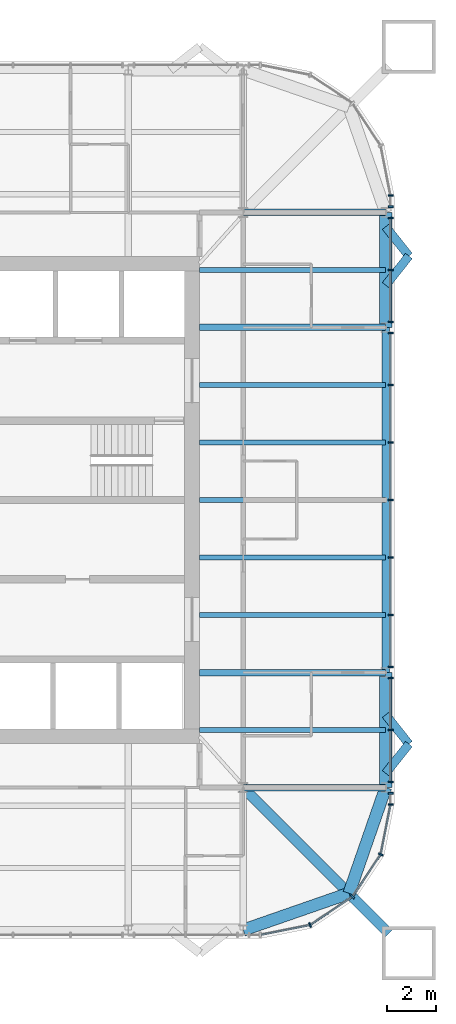
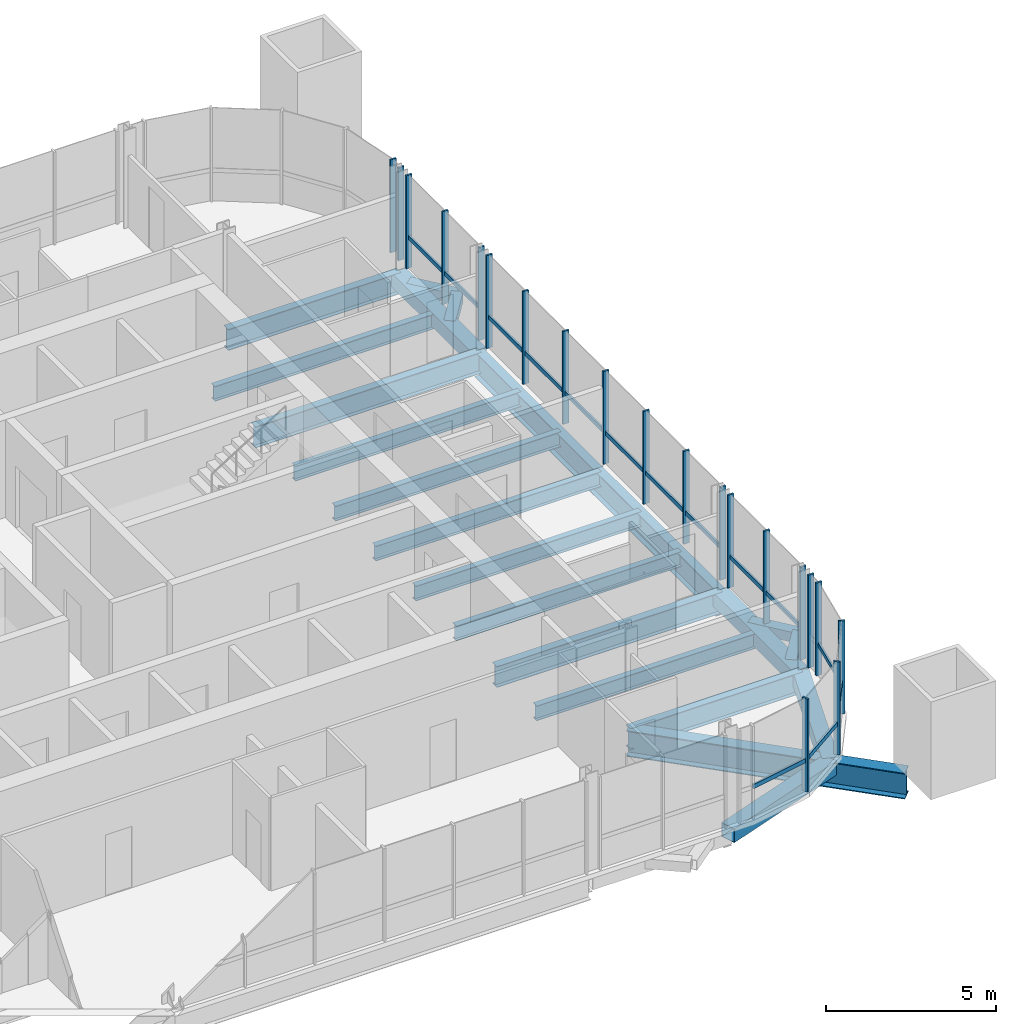
# One storey, part 5 of 17: 34 members, 21 beams, 6 elements without a shape of their own.
"""IFC4 building model written with IfcOpenShell, lengths in metres."""

from ifc_helpers import new_model, si_unit, direction, frame, origin, origin_2d, place, context, subcontext, project, spatial, rectangle, hollow_rectangle, i_section, extrude, material, material_profile, profile_set, type_object, element, aggregate, save


model = new_model("IFC4")

# Units and contexts
model_context = context("Model", 3, precision=1e-05, world=origin(), true_north=direction((0.0, 1.0)))
body_context = subcontext(model_context, "Body", "Model", "MODEL_VIEW")
ifc_project = project(units=[si_unit("LENGTHUNIT", "METRE"), si_unit("AREAUNIT", "SQUARE_METRE"), si_unit("VOLUMEUNIT", "CUBIC_METRE"), si_unit("PLANEANGLEUNIT", "RADIAN"), si_unit("MASSUNIT", "GRAM", prefix="KILO")], contexts=[model_context])

# Site, building, storey
site_placement = place(None, origin())
site = spatial("IfcSite", under=ifc_project, at=site_placement, CompositionType="ELEMENT")
building_placement = place(site_placement, origin())
building = spatial("IfcBuilding", under=site, at=building_placement, Name="Turquesa Mirador Hotel Tower", CompositionType="ELEMENT")
storey_placement = place(building_placement, frame((0.0, 0.0, 237.199951171875)))
storey = spatial("IfcBuildingStorey", under=building, at=storey_placement, Name="L64", CompositionType="ELEMENT", Elevation=237.199951171875)

# Beams
ifc_material_1 = material(Name="Steel ASTM A572 Grade 50", Category="steel")
ifc_material_profile_1 = material_profile(ifc_material_1, hollow_rectangle(XDim=0.5, YDim=0.5, WallThickness=0.01611328125, at=origin_2d()), Name="BOX500X500X16")
ifc_profile_set_1 = profile_set([ifc_material_profile_1], Name="Steel ASTM A572 Grade 50")
beam_type_1 = type_object("IfcBeamType", Name="BEAM BOX500X500X16", PredefinedType="BEAM", material=ifc_profile_set_1)
for number, where, z_axis, x_axis, name in (
    (1, (72.64990234375, 33.199951171875, -0.419921875), (0.0, 1.0, 0.0), (-1.0, 0.0, 0.0), "EB-L64-E-L"),
    (2, (72.64990234375, 52.080078125, -0.419921875), (0.0, 1.0, 0.0), (-1.0, 0.0, 0.0), "EB-L64-E-R"),
):
    element("IfcBeam", number, at=place(storey_placement, frame(where, z_axis=z_axis, x_axis=x_axis)), inside=storey, type_object=beam_type_1, Name=name, PredefinedType="BEAM", context=body_context, shape_type="SweptSolid", body=[
        extrude(hollow_rectangle(XDim=0.5, YDim=0.5, WallThickness=0.01611328125, at=origin_2d()), origin(), (0.0, 0.0, 1.0), 4.719970703125),
    ])
for number, where, z_axis, x_axis, name in (
    (3, (72.64990234375, 33.199951171875, -0.419921875), (-0.328170356092, -0.944618556552, 0.0), (0.944618556552, -0.328170356092, 0.0), "KE-L64-4-0"),
    (4, (71.1416015625, 28.8583984375, -0.419921875), (-0.944618556552, -0.328170356092, 0.0), (0.328170356092, -0.944618556552, 0.0), "KE-L64-4-1"),
):
    element("IfcBeam", number, at=place(storey_placement, frame(where, z_axis=z_axis, x_axis=x_axis)), inside=storey, type_object=beam_type_1, Name=name, PredefinedType="BEAM", context=body_context, shape_type="SweptSolid", body=[
        extrude(hollow_rectangle(XDim=0.5, YDim=0.5, WallThickness=0.01611328125, at=origin_2d()), origin(), (0.0, 0.0, 1.0), 4.59619140625),
    ])
ifc_material_2 = material(Name="Steel ASTM A992 Grade 50", Category="steel")
ifc_material_profile_2 = material_profile(ifc_material_2, i_section(OverallWidth=0.209228515625, OverallDepth=0.533447265625, WebThickness=0.01025390625, FlangeThickness=0.015625, at=origin_2d()), Name="W21X62")
ifc_profile_set_2 = profile_set([ifc_material_profile_2], Name="Steel ASTM A992 Grade 50")
beam_type_2 = type_object("IfcBeamType", Name="BEAM W21X62", PredefinedType="BEAM", material=ifc_profile_set_2)
for number, where, z_axis, x_axis, name in (
    (5, (72.64990234375, 35.56005859375, -0.436767578125), (-1.0, 0.0, 0.0), (0.0, -1.0, 0.0), "BM-L64-E--9.44"),
    (6, (72.64990234375, 40.280029296875, -0.436767578125), (-1.0, 0.0, 0.0), (0.0, -1.0, 0.0), "BM-L64-E--4.72"),
    (7, (72.64990234375, 42.639892578125, -0.436767578125), (-1.0, 0.0, 0.0), (0.0, -1.0, 0.0), "BM-L64-E--2.36"),
    (8, (72.64990234375, 45.0, -0.436767578125), (-1.0, 0.0, 0.0), (0.0, -1.0, 0.0), "BM-L64-E-+0.00"),
    (9, (72.64990234375, 47.360107421875, -0.436767578125), (-1.0, 0.0, 0.0), (0.0, -1.0, 0.0), "BM-L64-E-+2.36"),
    (10, (72.64990234375, 49.719970703125, -0.436767578125), (-1.0, 0.0, 0.0), (0.0, -1.0, 0.0), "BM-L64-E-+4.72"),
    (11, (72.64990234375, 54.43994140625, -0.436767578125), (-1.0, 0.0, 0.0), (0.0, -1.0, 0.0), "BM-L64-E-+9.44"),
):
    element("IfcBeam", number, at=place(storey_placement, frame(where, z_axis=z_axis, x_axis=x_axis)), inside=storey, type_object=beam_type_2, Name=name, PredefinedType="BEAM", context=body_context, shape_type="SweptSolid", body=[
        extrude(i_section(OverallWidth=0.209228515625, OverallDepth=0.533447265625, WebThickness=0.01025390625, FlangeThickness=0.015625, at=origin_2d()), origin(), (0.0, 0.0, 1.0), 7.64990234375),
    ])
ifc_material_3 = material(Name="Steel ASTM A992 Grade 50", Category="steel")
ifc_material_profile_3 = material_profile(ifc_material_3, i_section(OverallWidth=0.2666015625, OverallDepth=0.7568359375, WebThickness=0.013916015625, FlangeThickness=0.019287109375, at=origin_2d()), Name="W30X108")
ifc_profile_set_3 = profile_set([ifc_material_profile_3], Name="Steel ASTM A992 Grade 50")
beam_type_3 = type_object("IfcBeamType", Name="BEAM W30X108", PredefinedType="BEAM", material=ifc_profile_set_3)
for number, where, z_axis, x_axis, name in (
    (12, (72.64990234375, 37.919921875, -0.54833984375), (-1.0, 0.0, 0.0), (0.0, -1.0, 0.0), "GD-L64-E--7.08"),
    (13, (72.64990234375, 52.080078125, -0.54833984375), (-1.0, 0.0, 0.0), (0.0, -1.0, 0.0), "GD-L64-E-+7.08"),
):
    element("IfcBeam", number, at=place(storey_placement, frame(where, z_axis=z_axis, x_axis=x_axis)), inside=storey, type_object=beam_type_3, Name=name, PredefinedType="BEAM", context=body_context, shape_type="SweptSolid", body=[
        extrude(i_section(OverallWidth=0.2666015625, OverallDepth=0.7568359375, WebThickness=0.013916015625, FlangeThickness=0.019287109375, at=origin_2d()), origin(), (0.0, 0.0, 1.0), 7.64990234375),
    ])
for number, where, z_axis, x_axis, name in (
    (14, (72.64990234375, 33.199951171875, -0.54833984375), (-1.0, 0.0, 0.0), (0.0, -1.0, 0.0), "GK-L64-E--11.80"),
    (15, (72.64990234375, 56.800048828125, -0.54833984375), (-1.0, 0.0, 0.0), (0.0, -1.0, 0.0), "GK-L64-E-+11.80"),
):
    element("IfcBeam", number, at=place(storey_placement, frame(where, z_axis=z_axis, x_axis=x_axis)), inside=storey, type_object=beam_type_3, Name=name, PredefinedType="BEAM", context=body_context, shape_type="SweptSolid", body=[
        extrude(i_section(OverallWidth=0.2666015625, OverallDepth=0.7568359375, WebThickness=0.013916015625, FlangeThickness=0.019287109375, at=origin_2d()), origin(), (0.0, 0.0, 1.0), 5.849853515625),
    ])
ifc_material_4 = material(Name="Steel ASTM A992 Grade 50", Category="steel")
ifc_material_profile_4 = material_profile(ifc_material_4, i_section(OverallWidth=0.3046875, OverallDepth=0.911865234375, WebThickness=0.015869140625, FlangeThickness=0.02392578125, at=origin_2d()), Name="W36X150")
ifc_profile_set_4 = profile_set([ifc_material_profile_4], Name="Steel ASTM A992 Grade 50")
beam_type_4 = type_object("IfcBeamType", Name="BEAM W36X150", PredefinedType="BEAM", material=ifc_profile_set_4)
beam_1_placement = place(storey_placement, frame((72.64990234375, 37.919921875, -0.6259765625), z_axis=(0.0, 1.0, 0.0), x_axis=(-1.0, 0.0, 0.0)))
element("IfcBeam", 16, at=beam_1_placement, inside=storey, type_object=beam_type_4, Name="EB-L64-E-C", PredefinedType="BEAM", context=body_context, shape_type="SweptSolid", body=[
    extrude(i_section(OverallWidth=0.3046875, OverallDepth=0.911865234375, WebThickness=0.015869140625, FlangeThickness=0.02392578125, at=origin_2d()), origin(), (0.0, 0.0, 1.0), 14.16015625),
])
ifc_material_5 = material(Name="Steel ASTM A992 Grade 50", Category="steel")
ifc_material_profile_5 = material_profile(ifc_material_5, i_section(OverallWidth=0.419189453125, OverallDepth=0.927001953125, WebThickness=0.019287109375, FlangeThickness=0.031982421875, at=origin_2d()), Name="W36X231")
ifc_profile_set_5 = profile_set([ifc_material_profile_5], Name="Steel ASTM A992 Grade 50")
beam_type_5 = type_object("IfcBeamType", Name="BEAM W36X231", PredefinedType="BEAM", material=ifc_profile_set_5)
beam_2_placement = place(storey_placement, frame((66.800048828125, 33.199951171875, -0.633544921875), z_axis=(0.707106781187, -0.707106781187, 0.0), x_axis=(0.707106781187, 0.707106781187, 0.0)))
element("IfcBeam", 17, at=beam_2_placement, inside=storey, type_object=beam_type_5, Name="KD-L64-4", PredefinedType="BEAM", context=body_context, shape_type="SweptSolid", body=[
    extrude(i_section(OverallWidth=0.419189453125, OverallDepth=0.927001953125, WebThickness=0.019287109375, FlangeThickness=0.031982421875, at=origin_2d()), origin(), (0.0, 0.0, 1.0), 8.46240234375),
])
ifc_material_6 = material(Name="Steel ASTM A500 Grade C", Category="steel")
ifc_material_profile_6 = material_profile(ifc_material_6, hollow_rectangle(XDim=0.355712890625, YDim=0.355712890625, WallThickness=0.0146484375, at=origin_2d()), Name="HSS14X14X5/8")
ifc_profile_set_6 = profile_set([ifc_material_profile_6], Name="Steel ASTM A500 Grade C")
beam_type_6 = type_object("IfcBeamType", Name="BRACE STRUT HSS14X14X5/8", PredefinedType="BEAM", material=ifc_profile_set_6)
for number, where, z_axis, x_axis, name in (
    (18, (73.60009765625, 34.984619140625, -0.34765625), (-0.620796907089, -0.783971428146, 0.0), (0.783971428146, -0.620796907089, 0.0), "Brace strut"),
    (19, (73.60009765625, 34.984619140625, -0.34765625), (-0.620796907089, 0.783971428146, 0.0), (-0.783971428146, -0.620796907089, 0.0), "Brace strut"),
    (20, (73.60009765625, 55.015380859375, -0.34765625), (-0.620796907089, -0.783971428146, 0.0), (0.783971428146, -0.620796907089, 0.0), "Brace strut"),
    (21, (73.60009765625, 55.015380859375, -0.34765625), (-0.620796907089, 0.783971428146, 0.0), (-0.783971428146, -0.620796907089, 0.0), "Brace strut"),
):
    element("IfcBeam", number, at=place(storey_placement, frame(where, z_axis=z_axis, x_axis=x_axis)), inside=storey, type_object=beam_type_6, Name=name, PredefinedType="BEAM", context=body_context, shape_type="SweptSolid", body=[
        extrude(hollow_rectangle(XDim=0.355712890625, YDim=0.355712890625, WallThickness=0.0146484375, at=origin_2d()), origin(), (0.0, 0.0, 1.0), 1.530517578125),
    ])

# Curtain wall, members
ifc_material_7 = material(Name="Aluminium extrusion", Category="aluminium")
curtain_wall_type = type_object("IfcCurtainWallType", Name="CW-4 SUITE FRITTED CURTAIN WALL", PredefinedType="USERDEFINED", material=ifc_material_7)
curtain_wall_1_placement = place(storey_placement, origin())
curtain_wall_1 = element("IfcCurtainWall", 22, at=curtain_wall_1_placement, inside=storey, type_object=curtain_wall_type, Name="CW-4 SUITE FRITTED CURTAIN WALL L64", ObjectType="CURTAIN WALL", PredefinedType="USERDEFINED")
ifc_material_8 = material(Name="Aluminium extrusion", Category="aluminium")
ifc_material_profile_7 = material_profile(ifc_material_8, rectangle(XDim=0.06494140625, YDim=0.199951171875, at=origin_2d()), Name="MULLION 65X200")
ifc_profile_set_7 = profile_set([ifc_material_profile_7], Name="Aluminium extrusion")
member_type_1 = type_object("IfcMemberType", Name="CW MULLION 65X200", PredefinedType="MULLION", material=ifc_profile_set_7)
member_1_placement = place(storey_placement, frame((69.54736328125, 27.55712890625, 0.0), z_axis=(0.0, 0.0, 1.0), x_axis=(0.923879532511, 0.382683432365, 0.0)))
member_1 = element("IfcMember", 23, at=member_1_placement, type_object=member_type_1, Name="Mullion", PredefinedType="MULLION", context=body_context, shape_type="SweptSolid", body=[
    extrude(rectangle(XDim=0.06494140625, YDim=0.199951171875, at=origin_2d()), origin(), (0.0, 0.0, 1.0), 3.330078125),
])
member_2_placement = place(storey_placement, frame((71.282958984375, 28.717041015625, 0.0), z_axis=(0.0, 0.0, 1.0), x_axis=(0.707106781187, 0.707106781187, 0.0)))
member_2 = element("IfcMember", 24, at=member_2_placement, type_object=member_type_1, Name="Mullion", PredefinedType="MULLION", context=body_context, shape_type="SweptSolid", body=[
    extrude(rectangle(XDim=0.06494140625, YDim=0.199951171875, at=origin_2d()), origin(), (0.0, 0.0, 1.0), 3.330078125),
])
member_3_placement = place(storey_placement, frame((72.44287109375, 30.45263671875, 0.0), z_axis=(0.0, 0.0, 1.0), x_axis=(0.382683432365, 0.923879532511, 0.0)))
member_3 = element("IfcMember", 25, at=member_3_placement, type_object=member_type_1, Name="Mullion", PredefinedType="MULLION", context=body_context, shape_type="SweptSolid", body=[
    extrude(rectangle(XDim=0.06494140625, YDim=0.199951171875, at=origin_2d()), origin(), (0.0, 0.0, 1.0), 3.330078125),
])

curtain_wall_2_placement = place(storey_placement, origin())
curtain_wall_2 = element("IfcCurtainWall", 26, at=curtain_wall_2_placement, inside=storey, type_object=curtain_wall_type, Name="CW-4 SUITE FRITTED CURTAIN WALL L64", ObjectType="CURTAIN WALL", PredefinedType="USERDEFINED")
member_4_placement = place(storey_placement, frame((72.85009765625, 32.5, 0.0), z_axis=(0.0, 0.0, 1.0), x_axis=(0.0, 1.0, 0.0)))
member_4 = element("IfcMember", 27, at=member_4_placement, type_object=member_type_1, Name="Mullion", PredefinedType="MULLION", context=body_context, shape_type="SweptSolid", body=[
    extrude(rectangle(XDim=0.06494140625, YDim=0.199951171875, at=origin_2d()), origin(), (0.0, 0.0, 1.0), 3.330078125),
])
member_5_placement = place(storey_placement, frame((72.85009765625, 32.966064453125, 0.0), z_axis=(0.0, 0.0, 1.0), x_axis=(0.0, 1.0, 0.0)))
member_5 = element("IfcMember", 28, at=member_5_placement, type_object=member_type_1, Name="Mullion", PredefinedType="MULLION", context=body_context, shape_type="SweptSolid", body=[
    extrude(rectangle(XDim=0.06494140625, YDim=0.199951171875, at=origin_2d()), origin(), (0.0, 0.0, 1.0), 3.330078125),
])
aggregate(curtain_wall_2, [member_4, member_5])

curtain_wall_3_placement = place(storey_placement, origin())
curtain_wall_3 = element("IfcCurtainWall", 29, at=curtain_wall_3_placement, inside=storey, type_object=curtain_wall_type, Name="CW-4 SUITE FRITTED CURTAIN WALL L64", ObjectType="CURTAIN WALL", PredefinedType="USERDEFINED")
member_6_placement = place(storey_placement, frame((72.85009765625, 33.433837890625, 0.0), z_axis=(0.0, 0.0, 1.0), x_axis=(0.0, 1.0, 0.0)))
member_6 = element("IfcMember", 30, at=member_6_placement, type_object=member_type_1, Name="Mullion", PredefinedType="MULLION", context=body_context, shape_type="SweptSolid", body=[
    extrude(rectangle(XDim=0.06494140625, YDim=0.199951171875, at=origin_2d()), origin(), (0.0, 0.0, 1.0), 3.330078125),
])
member_7_placement = place(storey_placement, frame((72.85009765625, 35.56005859375, 0.0), z_axis=(0.0, 0.0, 1.0), x_axis=(0.0, 1.0, 0.0)))
member_7 = element("IfcMember", 31, at=member_7_placement, type_object=member_type_1, Name="Mullion", PredefinedType="MULLION", context=body_context, shape_type="SweptSolid", body=[
    extrude(rectangle(XDim=0.06494140625, YDim=0.199951171875, at=origin_2d()), origin(), (0.0, 0.0, 1.0), 3.330078125),
])
member_8_placement = place(storey_placement, frame((72.85009765625, 37.68603515625, 0.0), z_axis=(0.0, 0.0, 1.0), x_axis=(0.0, 1.0, 0.0)))
member_8 = element("IfcMember", 32, at=member_8_placement, type_object=member_type_1, Name="Mullion", PredefinedType="MULLION", context=body_context, shape_type="SweptSolid", body=[
    extrude(rectangle(XDim=0.06494140625, YDim=0.199951171875, at=origin_2d()), origin(), (0.0, 0.0, 1.0), 3.330078125),
])

curtain_wall_4_placement = place(storey_placement, origin())
curtain_wall_4 = element("IfcCurtainWall", 33, at=curtain_wall_4_placement, inside=storey, type_object=curtain_wall_type, Name="CW-4 SUITE FRITTED CURTAIN WALL L64", ObjectType="CURTAIN WALL", PredefinedType="USERDEFINED")
member_9_placement = place(storey_placement, frame((72.85009765625, 38.15380859375, 0.0), z_axis=(0.0, 0.0, 1.0), x_axis=(0.0, 1.0, 0.0)))
member_9 = element("IfcMember", 34, at=member_9_placement, type_object=member_type_1, Name="Mullion", PredefinedType="MULLION", context=body_context, shape_type="SweptSolid", body=[
    extrude(rectangle(XDim=0.06494140625, YDim=0.199951171875, at=origin_2d()), origin(), (0.0, 0.0, 1.0), 3.330078125),
])
member_10_placement = place(storey_placement, frame((72.85009765625, 40.280029296875, 0.0), z_axis=(0.0, 0.0, 1.0), x_axis=(0.0, 1.0, 0.0)))
member_10 = element("IfcMember", 35, at=member_10_placement, type_object=member_type_1, Name="Mullion", PredefinedType="MULLION", context=body_context, shape_type="SweptSolid", body=[
    extrude(rectangle(XDim=0.06494140625, YDim=0.199951171875, at=origin_2d()), origin(), (0.0, 0.0, 1.0), 3.330078125),
])
member_11_placement = place(storey_placement, frame((72.85009765625, 42.639892578125, 0.0), z_axis=(0.0, 0.0, 1.0), x_axis=(0.0, 1.0, 0.0)))
member_11 = element("IfcMember", 36, at=member_11_placement, type_object=member_type_1, Name="Mullion", PredefinedType="MULLION", context=body_context, shape_type="SweptSolid", body=[
    extrude(rectangle(XDim=0.06494140625, YDim=0.199951171875, at=origin_2d()), origin(), (0.0, 0.0, 1.0), 3.330078125),
])
member_12_placement = place(storey_placement, frame((72.85009765625, 45.0, 0.0), z_axis=(0.0, 0.0, 1.0), x_axis=(0.0, 1.0, 0.0)))
member_12 = element("IfcMember", 37, at=member_12_placement, type_object=member_type_1, Name="Mullion", PredefinedType="MULLION", context=body_context, shape_type="SweptSolid", body=[
    extrude(rectangle(XDim=0.06494140625, YDim=0.199951171875, at=origin_2d()), origin(), (0.0, 0.0, 1.0), 3.330078125),
])
member_13_placement = place(storey_placement, frame((72.85009765625, 47.360107421875, 0.0), z_axis=(0.0, 0.0, 1.0), x_axis=(0.0, 1.0, 0.0)))
member_13 = element("IfcMember", 38, at=member_13_placement, type_object=member_type_1, Name="Mullion", PredefinedType="MULLION", context=body_context, shape_type="SweptSolid", body=[
    extrude(rectangle(XDim=0.06494140625, YDim=0.199951171875, at=origin_2d()), origin(), (0.0, 0.0, 1.0), 3.330078125),
])
member_14_placement = place(storey_placement, frame((72.85009765625, 49.719970703125, 0.0), z_axis=(0.0, 0.0, 1.0), x_axis=(0.0, 1.0, 0.0)))
member_14 = element("IfcMember", 39, at=member_14_placement, type_object=member_type_1, Name="Mullion", PredefinedType="MULLION", context=body_context, shape_type="SweptSolid", body=[
    extrude(rectangle(XDim=0.06494140625, YDim=0.199951171875, at=origin_2d()), origin(), (0.0, 0.0, 1.0), 3.330078125),
])
member_15_placement = place(storey_placement, frame((72.85009765625, 51.84619140625, 0.0), z_axis=(0.0, 0.0, 1.0), x_axis=(0.0, 1.0, 0.0)))
member_15 = element("IfcMember", 40, at=member_15_placement, type_object=member_type_1, Name="Mullion", PredefinedType="MULLION", context=body_context, shape_type="SweptSolid", body=[
    extrude(rectangle(XDim=0.06494140625, YDim=0.199951171875, at=origin_2d()), origin(), (0.0, 0.0, 1.0), 3.330078125),
])

curtain_wall_5_placement = place(storey_placement, origin())
curtain_wall_5 = element("IfcCurtainWall", 41, at=curtain_wall_5_placement, inside=storey, type_object=curtain_wall_type, Name="CW-4 SUITE FRITTED CURTAIN WALL L64", ObjectType="CURTAIN WALL", PredefinedType="USERDEFINED")
member_16_placement = place(storey_placement, frame((72.85009765625, 52.31396484375, 0.0), z_axis=(0.0, 0.0, 1.0), x_axis=(0.0, 1.0, 0.0)))
member_16 = element("IfcMember", 42, at=member_16_placement, type_object=member_type_1, Name="Mullion", PredefinedType="MULLION", context=body_context, shape_type="SweptSolid", body=[
    extrude(rectangle(XDim=0.06494140625, YDim=0.199951171875, at=origin_2d()), origin(), (0.0, 0.0, 1.0), 3.330078125),
])
member_17_placement = place(storey_placement, frame((72.85009765625, 54.43994140625, 0.0), z_axis=(0.0, 0.0, 1.0), x_axis=(0.0, 1.0, 0.0)))
member_17 = element("IfcMember", 43, at=member_17_placement, type_object=member_type_1, Name="Mullion", PredefinedType="MULLION", context=body_context, shape_type="SweptSolid", body=[
    extrude(rectangle(XDim=0.06494140625, YDim=0.199951171875, at=origin_2d()), origin(), (0.0, 0.0, 1.0), 3.330078125),
])
member_18_placement = place(storey_placement, frame((72.85009765625, 56.566162109375, 0.0), z_axis=(0.0, 0.0, 1.0), x_axis=(0.0, 1.0, 0.0)))
member_18 = element("IfcMember", 44, at=member_18_placement, type_object=member_type_1, Name="Mullion", PredefinedType="MULLION", context=body_context, shape_type="SweptSolid", body=[
    extrude(rectangle(XDim=0.06494140625, YDim=0.199951171875, at=origin_2d()), origin(), (0.0, 0.0, 1.0), 3.330078125),
])

curtain_wall_6_placement = place(storey_placement, origin())
curtain_wall_6 = element("IfcCurtainWall", 45, at=curtain_wall_6_placement, inside=storey, type_object=curtain_wall_type, Name="CW-4 SUITE FRITTED CURTAIN WALL L64", ObjectType="CURTAIN WALL", PredefinedType="USERDEFINED")
member_19_placement = place(storey_placement, frame((72.85009765625, 57.033935546875, 0.0), z_axis=(0.0, 0.0, 1.0), x_axis=(0.0, 1.0, 0.0)))
member_19 = element("IfcMember", 46, at=member_19_placement, type_object=member_type_1, Name="Mullion", PredefinedType="MULLION", context=body_context, shape_type="SweptSolid", body=[
    extrude(rectangle(XDim=0.06494140625, YDim=0.199951171875, at=origin_2d()), origin(), (0.0, 0.0, 1.0), 3.330078125),
])
member_20_placement = place(storey_placement, frame((72.85009765625, 57.5, 0.0), z_axis=(0.0, 0.0, 1.0), x_axis=(0.0, 1.0, 0.0)))
member_20 = element("IfcMember", 47, at=member_20_placement, type_object=member_type_1, Name="Mullion", PredefinedType="MULLION", context=body_context, shape_type="SweptSolid", body=[
    extrude(rectangle(XDim=0.06494140625, YDim=0.199951171875, at=origin_2d()), origin(), (0.0, 0.0, 1.0), 3.330078125),
])
aggregate(curtain_wall_6, [member_19, member_20])

# Member
ifc_material_9 = material(Name="Aluminium extrusion", Category="aluminium")
ifc_material_profile_8 = material_profile(ifc_material_9, rectangle(XDim=0.06494140625, YDim=0.14990234375, at=origin_2d()), Name="TRANSOM 65X150")
ifc_profile_set_8 = profile_set([ifc_material_profile_8], Name="Aluminium extrusion")
member_type_2 = type_object("IfcMemberType", Name="CW TRANSOM 65X150", PredefinedType="USERDEFINED", material=ifc_profile_set_8)
member_21_placement = place(storey_placement, frame((67.531982421875, 27.15625, 1.10009765625), z_axis=(0.980761343592, 0.195210621934, 0.0), x_axis=(-0.195210621934, 0.980761343592, 0.0)))
member_21 = element("IfcMember", 48, at=member_21_placement, type_object=member_type_2, Name="Transom", ObjectType="TRANSOM", PredefinedType="USERDEFINED", context=body_context, shape_type="SweptSolid", body=[
    extrude(rectangle(XDim=0.06494140625, YDim=0.14990234375, at=origin_2d()), origin(), (0.0, 0.0, 1.0), 2.022216796875),
])

member_22_placement = place(storey_placement, frame((69.574462890625, 27.5751953125, 1.10009765625), z_axis=(0.831436961136, 0.555619095835, 0.0), x_axis=(-0.555619095835, 0.831436961136, 0.0)))
member_22 = element("IfcMember", 49, at=member_22_placement, type_object=member_type_2, Name="Transom", ObjectType="TRANSOM", PredefinedType="USERDEFINED", context=body_context, shape_type="SweptSolid", body=[
    extrude(rectangle(XDim=0.06494140625, YDim=0.14990234375, at=origin_2d()), origin(), (0.0, 0.0, 1.0), 2.0224609375),
])

member_23_placement = place(storey_placement, frame((71.301025390625, 28.743896484375, 1.10009765625), z_axis=(0.555619095835, 0.831436961136, 0.0), x_axis=(-0.831436961136, 0.555619095835, 0.0)))
member_23 = element("IfcMember", 50, at=member_23_placement, type_object=member_type_2, Name="Transom", ObjectType="TRANSOM", PredefinedType="USERDEFINED", context=body_context, shape_type="SweptSolid", body=[
    extrude(rectangle(XDim=0.06494140625, YDim=0.14990234375, at=origin_2d()), origin(), (0.0, 0.0, 1.0), 2.0224609375),
])

member_24_placement = place(storey_placement, frame((72.448974609375, 30.484619140625, 1.10009765625), z_axis=(0.195210621934, 0.980761343592, 0.0), x_axis=(-0.980761343592, 0.195210621934, 0.0)))
member_24 = element("IfcMember", 51, at=member_24_placement, type_object=member_type_2, Name="Transom", ObjectType="TRANSOM", PredefinedType="USERDEFINED", context=body_context, shape_type="SweptSolid", body=[
    extrude(rectangle(XDim=0.06494140625, YDim=0.14990234375, at=origin_2d()), origin(), (0.0, 0.0, 1.0), 2.022216796875),
])

aggregate(curtain_wall_1, [member_1, member_2, member_3, member_21, member_22, member_23, member_24])

member_25_placement = place(storey_placement, frame((72.85009765625, 33.46630859375, 1.10009765625), z_axis=(0.0, 1.0, 0.0), x_axis=(-1.0, 0.0, 0.0)))
member_25 = element("IfcMember", 52, at=member_25_placement, type_object=member_type_2, Name="Transom", ObjectType="TRANSOM", PredefinedType="USERDEFINED", context=body_context, shape_type="SweptSolid", body=[
    extrude(rectangle(XDim=0.06494140625, YDim=0.14990234375, at=origin_2d()), origin(), (0.0, 0.0, 1.0), 2.061279296875),
])

member_26_placement = place(storey_placement, frame((72.85009765625, 35.592529296875, 1.10009765625), z_axis=(0.0, 1.0, 0.0), x_axis=(-1.0, 0.0, 0.0)))
member_26 = element("IfcMember", 53, at=member_26_placement, type_object=member_type_2, Name="Transom", ObjectType="TRANSOM", PredefinedType="USERDEFINED", context=body_context, shape_type="SweptSolid", body=[
    extrude(rectangle(XDim=0.06494140625, YDim=0.14990234375, at=origin_2d()), origin(), (0.0, 0.0, 1.0), 2.06103515625),
])

aggregate(curtain_wall_3, [member_6, member_7, member_8, member_25, member_26])

member_27_placement = place(storey_placement, frame((72.85009765625, 38.186279296875, 1.10009765625), z_axis=(0.0, 1.0, 0.0), x_axis=(-1.0, 0.0, 0.0)))
member_27 = element("IfcMember", 54, at=member_27_placement, type_object=member_type_2, Name="Transom", ObjectType="TRANSOM", PredefinedType="USERDEFINED", context=body_context, shape_type="SweptSolid", body=[
    extrude(rectangle(XDim=0.06494140625, YDim=0.14990234375, at=origin_2d()), origin(), (0.0, 0.0, 1.0), 2.061279296875),
])

member_28_placement = place(storey_placement, frame((72.85009765625, 40.3125, 1.10009765625), z_axis=(0.0, 1.0, 0.0), x_axis=(-1.0, 0.0, 0.0)))
member_28 = element("IfcMember", 55, at=member_28_placement, type_object=member_type_2, Name="Transom", ObjectType="TRANSOM", PredefinedType="USERDEFINED", context=body_context, shape_type="SweptSolid", body=[
    extrude(rectangle(XDim=0.06494140625, YDim=0.14990234375, at=origin_2d()), origin(), (0.0, 0.0, 1.0), 2.294921875),
])

member_29_placement = place(storey_placement, frame((72.85009765625, 42.672607421875, 1.10009765625), z_axis=(0.0, 1.0, 0.0), x_axis=(-1.0, 0.0, 0.0)))
member_29 = element("IfcMember", 56, at=member_29_placement, type_object=member_type_2, Name="Transom", ObjectType="TRANSOM", PredefinedType="USERDEFINED", context=body_context, shape_type="SweptSolid", body=[
    extrude(rectangle(XDim=0.06494140625, YDim=0.14990234375, at=origin_2d()), origin(), (0.0, 0.0, 1.0), 2.294921875),
])

member_30_placement = place(storey_placement, frame((72.85009765625, 45.032470703125, 1.10009765625), z_axis=(0.0, 1.0, 0.0), x_axis=(-1.0, 0.0, 0.0)))
member_30 = element("IfcMember", 57, at=member_30_placement, type_object=member_type_2, Name="Transom", ObjectType="TRANSOM", PredefinedType="USERDEFINED", context=body_context, shape_type="SweptSolid", body=[
    extrude(rectangle(XDim=0.06494140625, YDim=0.14990234375, at=origin_2d()), origin(), (0.0, 0.0, 1.0), 2.294921875),
])

member_31_placement = place(storey_placement, frame((72.85009765625, 47.392578125, 1.10009765625), z_axis=(0.0, 1.0, 0.0), x_axis=(-1.0, 0.0, 0.0)))
member_31 = element("IfcMember", 58, at=member_31_placement, type_object=member_type_2, Name="Transom", ObjectType="TRANSOM", PredefinedType="USERDEFINED", context=body_context, shape_type="SweptSolid", body=[
    extrude(rectangle(XDim=0.06494140625, YDim=0.14990234375, at=origin_2d()), origin(), (0.0, 0.0, 1.0), 2.294921875),
])

member_32_placement = place(storey_placement, frame((72.85009765625, 49.75244140625, 1.10009765625), z_axis=(0.0, 1.0, 0.0), x_axis=(-1.0, 0.0, 0.0)))
member_32 = element("IfcMember", 59, at=member_32_placement, type_object=member_type_2, Name="Transom", ObjectType="TRANSOM", PredefinedType="USERDEFINED", context=body_context, shape_type="SweptSolid", body=[
    extrude(rectangle(XDim=0.06494140625, YDim=0.14990234375, at=origin_2d()), origin(), (0.0, 0.0, 1.0), 2.061279296875),
])

aggregate(curtain_wall_4, [member_9, member_10, member_11, member_12, member_13, member_14, member_15, member_27, member_28, member_29, member_30, member_31, member_32])

member_33_placement = place(storey_placement, frame((72.85009765625, 52.346435546875, 1.10009765625), z_axis=(0.0, 1.0, 0.0), x_axis=(-1.0, 0.0, 0.0)))
member_33 = element("IfcMember", 60, at=member_33_placement, type_object=member_type_2, Name="Transom", ObjectType="TRANSOM", PredefinedType="USERDEFINED", context=body_context, shape_type="SweptSolid", body=[
    extrude(rectangle(XDim=0.06494140625, YDim=0.14990234375, at=origin_2d()), origin(), (0.0, 0.0, 1.0), 2.06103515625),
])

member_34_placement = place(storey_placement, frame((72.85009765625, 54.472412109375, 1.10009765625), z_axis=(0.0, 1.0, 0.0), x_axis=(-1.0, 0.0, 0.0)))
member_34 = element("IfcMember", 61, at=member_34_placement, type_object=member_type_2, Name="Transom", ObjectType="TRANSOM", PredefinedType="USERDEFINED", context=body_context, shape_type="SweptSolid", body=[
    extrude(rectangle(XDim=0.06494140625, YDim=0.14990234375, at=origin_2d()), origin(), (0.0, 0.0, 1.0), 2.061279296875),
])

aggregate(curtain_wall_5, [member_16, member_17, member_18, member_33, member_34])

save(model, "model.ifc")
